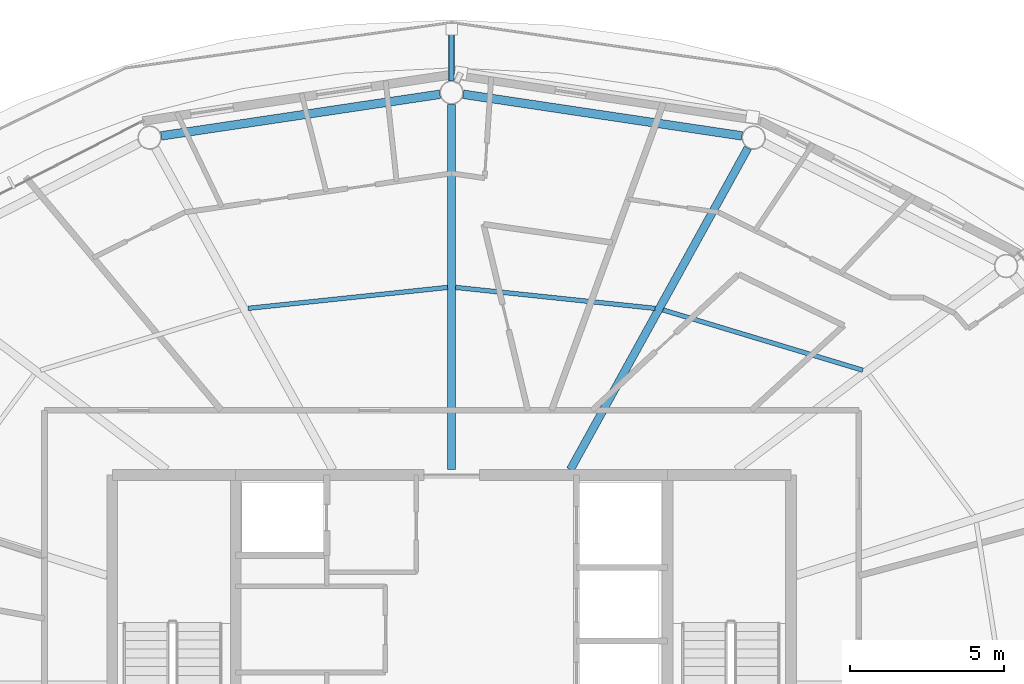
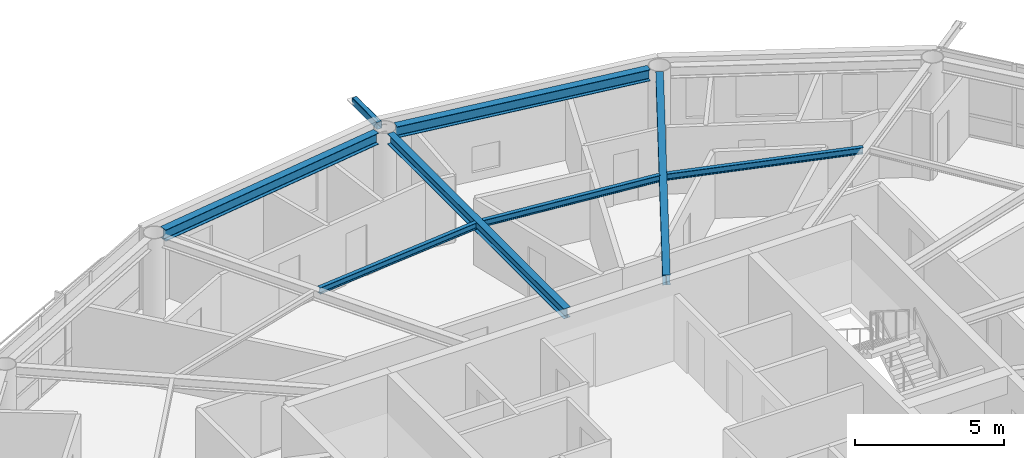
# One storey, part 10 of 23: 7 beams, 1 member.
"""IFC4 building model written with IfcOpenShell, lengths in metres."""

import ifcopenshell
import ifcopenshell.guid

model = None  # the IFC model being written
_history = None  # IfcOwnerHistory: only IFC2X3 demands one
_inside = {}  # id of a spatial element -> (the spatial element, [elements in it])
_under = {}  # id of a project, library or spatial element -> (it, [spatial elements below it])
_declared = {}  # id of a project -> (the project, [libraries it declares])
_typed = {}  # id of a type object -> (the type object, [elements of that type])
_made_of = {}  # id of a material, layer set ... -> (it, [elements and type objects made of it])


def new_model(schema):
    """Start an empty IFC model of exactly this schema.

    Asked for "IFC4X3", IfcOpenShell would pick the latest addendum, in which some entities
    have other attributes; the version numbers below select the first issue.
    IFC2X3 requires an IfcOwnerHistory on every rooted entity: one is made here for all.
    """
    global model, _history
    if schema == "IFC4X3":
        model = ifcopenshell.file(schema_version=(4, 3, 0, 0))
    else:
        model = ifcopenshell.file(schema=schema)
    _inside.clear()
    _under.clear()
    _declared.clear()
    _typed.clear()
    _made_of.clear()
    _history = None
    if model.schema == "IFC2X3":
        org = make("IfcOrganization", Name="unknown")
        user = make(
            "IfcPersonAndOrganization",
            ThePerson=make("IfcPerson", FamilyName="unknown"),
            TheOrganization=org,
        )
        app = make(
            "IfcApplication",
            ApplicationDeveloper=org,
            Version="unknown",
            ApplicationFullName="unknown",
            ApplicationIdentifier="unknown",
        )
        _history = make(
            "IfcOwnerHistory",
            OwningUser=user,
            OwningApplication=app,
            ChangeAction="ADDED",
            CreationDate=0,
        )
    return model


def make(cls, **values):
    """One entity of the class cls with the attributes given. An attribute that is None is left unset."""
    return model.create_entity(
        cls, **{name: value for name, value in values.items() if value is not None}
    )


def rooted(cls, **values):
    """An entity with a GlobalId (a new one), such as an element, a storey or a relation."""
    return make(cls, GlobalId=ifcopenshell.guid.new(), OwnerHistory=_history, **values)


def si_unit(unit_type, name, prefix=None):
    """IfcSIUnit, for example si_unit("LENGTHUNIT", "METRE", prefix="MILLI")."""
    return make("IfcSIUnit", UnitType=unit_type, Prefix=prefix, Name=name)


def assignment(units):
    """IfcUnitAssignment: the units of a project."""
    return None if units is None else make("IfcUnitAssignment", Units=units)


def point(xyz):
    """IfcCartesianPoint."""
    return None if xyz is None else make("IfcCartesianPoint", Coordinates=xyz)


def direction(xyz):
    """IfcDirection."""
    return None if xyz is None else make("IfcDirection", DirectionRatios=xyz)


def frame(location, z_axis=None, x_axis=None):
    """IfcAxis2Placement3D, a coordinate frame: its origin and axes. An axis left out is left unset."""
    return make(
        "IfcAxis2Placement3D",
        Location=point(location),
        Axis=direction(z_axis),
        RefDirection=direction(x_axis),
    )


def frame_2d(location, x_axis=None):
    """IfcAxis2Placement2D, a coordinate frame in the plane: its origin and x axis."""
    return make(
        "IfcAxis2Placement2D", Location=point(location), RefDirection=direction(x_axis)
    )


def origin():
    """The frame at (0, 0, 0) with its axes left unset."""
    return frame((0.0, 0.0, 0.0))


def origin_2d():
    """The frame at (0, 0) in the plane with its x axis left unset."""
    return frame_2d((0.0, 0.0))


def place(relative_to, where):
    """IfcLocalPlacement: puts the frame where relative to a parent placement (None: the world)."""
    return make(
        "IfcLocalPlacement", PlacementRelTo=relative_to, RelativePlacement=where
    )


def context(
    kind, dimensions, precision=None, world=None, true_north=None, identifier=None
):
    """IfcGeometricRepresentationContext, for example the 3D "Model" context."""
    return make(
        "IfcGeometricRepresentationContext",
        ContextIdentifier=identifier,
        ContextType=kind,
        CoordinateSpaceDimension=dimensions,
        Precision=precision,
        WorldCoordinateSystem=world,
        TrueNorth=true_north,
    )


def subcontext(parent, identifier, kind, view, scale=None):
    """IfcGeometricRepresentationSubContext, for example "Body" below "Model"."""
    return make(
        "IfcGeometricRepresentationSubContext",
        ContextIdentifier=identifier,
        ContextType=kind,
        ParentContext=parent,
        TargetScale=scale,
        TargetView=view,
    )


def project(units=None, contexts=None):
    """IfcProject with its units and contexts."""
    return rooted(
        "IfcProject",
        Name="project",
        RepresentationContexts=contexts,
        UnitsInContext=assignment(units),
    )


def spatial(cls, under=None, at=None, **own):
    """A site, building, storey or space (cls), placed at a placement, below another one or the project."""
    s = rooted(cls, ObjectPlacement=at, **own)
    if under is not None:
        _under.setdefault(under.id(), (under, []))[1].append(s)
    return s


def profile(cls, at=None, kind="AREA", **sizes):
    """A parametric profile (cls). Its sizes go by their IFC names, for example OverallWidth=200.0."""
    return make(cls, ProfileType=kind, Position=at, **sizes)


def hollow_rectangle(**sizes):
    """IfcRectangleHollowProfileDef."""
    return profile("IfcRectangleHollowProfileDef", **sizes)


def i_section(**sizes):
    """IfcIShapeProfileDef."""
    return profile("IfcIShapeProfileDef", **sizes)


def extrude(swept, where, along, depth):
    """IfcExtrudedAreaSolid: the profile swept, set in the frame where, extruded along a direction by depth."""
    return make(
        "IfcExtrudedAreaSolid",
        SweptArea=swept,
        Position=where,
        ExtrudedDirection=direction(along),
        Depth=depth,
    )


def shape(context_of_items, identifier, shape_type, items):
    """IfcShapeRepresentation: the items that make up one representation, for example the "Body"."""
    return make(
        "IfcShapeRepresentation",
        ContextOfItems=context_of_items,
        RepresentationIdentifier=identifier,
        RepresentationType=shape_type,
        Items=items,
    )


def material(Name=None, Category=None):
    """IfcMaterial."""
    return make("IfcMaterial", Name=Name, Category=Category)


def material_profile(
    of_material, cross_section, Name=None, Category=None, Priority=None
):
    """IfcMaterialProfile: a cross section and its material."""
    return make(
        "IfcMaterialProfile",
        Name=Name,
        Material=of_material,
        Profile=cross_section,
        Priority=Priority,
        Category=Category,
    )


def profile_set(profiles, Name=None, composite=None):
    """IfcMaterialProfileSet."""
    return make(
        "IfcMaterialProfileSet",
        Name=Name,
        MaterialProfiles=profiles,
        CompositeProfile=composite,
    )


def made_of(thing, what):
    """Note that an element or type object is made of a material, layer set ...; save() writes the relation."""
    if what is not None:
        _made_of.setdefault(what.id(), (what, []))[1].append(thing)
    return thing


def type_object(cls, material=None, **own):
    """A type object (cls), such as IfcWallType, which elements share."""
    return made_of(rooted(cls, **own), material)


def element(
    cls,
    number,
    at=None,
    inside=None,
    cuts=None,
    type_object=None,
    material=None,
    context=None,
    identifier="Body",
    shape_type=None,
    held_by="IfcProductDefinitionShape",
    body=None,
    shapes=None,
    **own,
):
    """One element of the class cls, such as IfcWall. Its Tag is "e" and its number.

    at: its placement. inside: the storey or other place that contains it. cuts: it is an
    opening in that element (IfcRelVoidsElement). A single representation is given by context,
    identifier, shape_type and body (its items); several are given by shapes. held_by: the class
    of the entity that holds the representations. save() writes the other relations.
    """
    e = rooted(cls, Tag="e%d" % number, ObjectPlacement=at, **own)
    if body is not None:
        shapes = [shape(context, identifier, shape_type, body)]
    if shapes is not None:
        e.Representation = make(held_by, Representations=shapes)
    if inside is not None:
        _inside.setdefault(inside.id(), (inside, []))[1].append(e)
    if cuts is not None:
        rooted(
            "IfcRelVoidsElement", RelatingBuildingElement=cuts, RelatedOpeningElement=e
        )
    if type_object is not None:
        _typed.setdefault(type_object.id(), (type_object, []))[1].append(e)
    return made_of(e, material)


def aggregate(whole, parts):
    """IfcRelAggregates: a whole, such as a stair, and the parts it consists of."""
    return rooted("IfcRelAggregates", RelatingObject=whole, RelatedObjects=parts)


def save(model, path):
    """Write the relations noted so far, then the file.

    IfcRelAggregates (storeys below a building ...), IfcRelContainedInSpatialStructure (elements
    in a storey), IfcRelDefinesByType, IfcRelAssociatesMaterial and IfcRelDeclares: one each for
    every whole, place, type object, material and project.
    """
    for whole, parts in _under.values():
        aggregate(whole, parts)
    for where, things in _inside.values():
        rooted(
            "IfcRelContainedInSpatialStructure",
            RelatedElements=things,
            RelatingStructure=where,
        )
    for kind, things in _typed.values():
        rooted("IfcRelDefinesByType", RelatedObjects=things, RelatingType=kind)
    for what, things in _made_of.values():
        rooted("IfcRelAssociatesMaterial", RelatedObjects=things, RelatingMaterial=what)
    for by, libraries in _declared.values():
        rooted("IfcRelDeclares", RelatingContext=by, RelatedDefinitions=libraries)
    model.write(path)


model = new_model("IFC4")

# Units and contexts
model_context = context("Model", 3, precision=1e-05, world=origin(), true_north=direction((0.0, 1.0)))
body_context = subcontext(model_context, "Body", "Model", "MODEL_VIEW")
ifc_project = project(units=[si_unit("LENGTHUNIT", "METRE"), si_unit("AREAUNIT", "SQUARE_METRE"), si_unit("VOLUMEUNIT", "CUBIC_METRE"), si_unit("PLANEANGLEUNIT", "RADIAN"), si_unit("MASSUNIT", "GRAM", prefix="KILO")], contexts=[model_context])

# Site, building, storey
site_placement = place(None, origin())
site = spatial("IfcSite", under=ifc_project, at=site_placement, CompositionType="ELEMENT")
building_placement = place(site_placement, origin())
building = spatial("IfcBuilding", under=site, at=building_placement, Name="Sarneth Arch Tower", CompositionType="ELEMENT")
storey_placement = place(building_placement, frame((0.0, 0.0, 265.800048828125)))
storey = spatial("IfcBuildingStorey", under=building, at=storey_placement, Name="L68", CompositionType="ELEMENT", Elevation=265.800048828125)

# Beams
ifc_material_1 = material(Name="Steel S355", Category="steel")
ifc_material_profile_1 = material_profile(ifc_material_1, i_section(OverallWidth=0.14794921875, OverallDepth=0.26611328125, WebThickness=0.007568359375, FlangeThickness=0.012939453125, FilletRadius=0.012939453125, at=origin_2d()), Name="W250x44.8")
ifc_profile_set_1 = profile_set([ifc_material_profile_1], Name="Steel S355")
beam_type_1 = type_object("IfcBeamType", Name="BM-JOIST-250", PredefinedType="JOIST", material=ifc_profile_set_1)
beam_1_placement = place(storey_placement, frame((61.32861328125, 52.198486328125, 3.237060546875), z_axis=(-0.957373106971, 0.288854174367, 0.0), x_axis=(-0.288854174367, -0.957373106971, 0.0)))
element("IfcBeam", 1, at=beam_1_placement, inside=storey, type_object=beam_type_1, Name="L68 Secondary floor joist 03", PredefinedType="JOIST", context=body_context, shape_type="SweptSolid", body=[
    extrude(i_section(OverallWidth=0.14794921875, OverallDepth=0.26611328125, WebThickness=0.007568359375, FlangeThickness=0.012939453125, FilletRadius=0.012939453125, at=origin_2d()), origin(), (0.0, 0.0, 1.0), 6.76416015625),
])
for number, where, z_axis, x_axis, name in (
    (2, (54.59912109375, 54.20361328125, 3.237060546875), (-0.994526818736, 0.104481609938, 0.0), (-0.104481609938, -0.994526818736, 0.0), "L68 Secondary floor joist 04"),
    (3, (47.87060546875, 54.88330078125, 3.237060546875), (-0.994526818736, -0.104481609938, 0.0), (0.104481609938, -0.994526818736, 0.0), "L68 Secondary floor joist 05"),
):
    element("IfcBeam", number, at=place(storey_placement, frame(where, z_axis=z_axis, x_axis=x_axis)), inside=storey, type_object=beam_type_1, Name=name, PredefinedType="JOIST", context=body_context, shape_type="SweptSolid", body=[
        extrude(i_section(OverallWidth=0.14794921875, OverallDepth=0.26611328125, WebThickness=0.007568359375, FlangeThickness=0.012939453125, FilletRadius=0.012939453125, at=origin_2d()), origin(), (0.0, 0.0, 1.0), 6.50537109375),
    ])
ifc_material_2 = material(Name="Steel S355", Category="steel")
ifc_material_profile_2 = material_profile(ifc_material_2, i_section(OverallWidth=0.260009765625, OverallDepth=0.4150390625, WebThickness=0.010009765625, FlangeThickness=0.016845703125, FilletRadius=0.01611328125, at=origin_2d()), Name="W410x100")
ifc_profile_set_2 = profile_set([ifc_material_profile_2], Name="Steel S355")
beam_type_2 = type_object("IfcBeamType", Name="BM-RAD-410A", PredefinedType="BEAM", material=ifc_profile_set_2)
beam_2_placement = place(storey_placement, frame((51.849853515625, 48.97509765625, 3.162353515625), z_axis=(0.483231193732, 0.875492783182, 0.0), x_axis=(-0.875492783182, 0.483231193732, 0.0)))
element("IfcBeam", 4, at=beam_2_placement, inside=storey, type_object=beam_type_2, Name="L68 Radial floor girder 04", PredefinedType="BEAM", context=body_context, shape_type="SweptSolid", body=[
    extrude(i_section(OverallWidth=0.260009765625, OverallDepth=0.4150390625, WebThickness=0.010009765625, FlangeThickness=0.016845703125, FilletRadius=0.01611328125, at=origin_2d()), origin(), (0.0, 0.0, 1.0), 11.913330078125),
])
beam_3_placement = place(storey_placement, frame((48.0, 48.97509765625, 3.162353515625), z_axis=(0.0, 1.0, 0.0), x_axis=(-1.0, 0.0, 0.0)))
element("IfcBeam", 5, at=beam_3_placement, inside=storey, type_object=beam_type_2, Name="L68 Radial floor girder 05", PredefinedType="BEAM", context=body_context, shape_type="SweptSolid", body=[
    extrude(i_section(OverallWidth=0.260009765625, OverallDepth=0.4150390625, WebThickness=0.010009765625, FlangeThickness=0.016845703125, FilletRadius=0.01611328125, at=origin_2d()), origin(), (0.0, 0.0, 1.0), 11.843994140625),
])
ifc_material_3 = material(Name="Steel S355", Category="steel")
ifc_material_profile_3 = material_profile(ifc_material_3, i_section(OverallWidth=0.280029296875, OverallDepth=0.462890625, WebThickness=0.0107421875, FlangeThickness=0.017333984375, FilletRadius=0.01806640625, at=origin_2d()), Name="W460x113")
ifc_profile_set_3 = profile_set([ifc_material_profile_3], Name="Steel S355")
beam_type_3 = type_object("IfcBeamType", Name="BM-RAD-460A", PredefinedType="BEAM", material=ifc_profile_set_3)
for number, where, z_axis, x_axis, name in (
    (6, (57.4140625, 59.794677734375, 3.138427734375), (-0.989040174637, 0.147646648973, 0.0), (-0.147646648973, -0.989040174637, 0.0), "L68 Perimeter spandrel beam 04"),
    (7, (47.623291015625, 61.143798828125, 3.138427734375), (-0.989040174637, -0.147646648973, 0.0), (0.147646648973, -0.989040174637, 0.0), "L68 Perimeter spandrel beam 05"),
):
    element("IfcBeam", number, at=place(storey_placement, frame(where, z_axis=z_axis, x_axis=x_axis)), inside=storey, type_object=beam_type_3, Name=name, PredefinedType="BEAM", context=body_context, shape_type="SweptSolid", body=[
        extrude(i_section(OverallWidth=0.280029296875, OverallDepth=0.462890625, WebThickness=0.0107421875, FlangeThickness=0.017333984375, FilletRadius=0.01806640625, at=origin_2d()), origin(), (0.0, 0.0, 1.0), 9.137451171875),
    ])

# Member
ifc_material_4 = material(Name="Steel S355", Category="steel")
ifc_material_profile_4 = material_profile(ifc_material_4, hollow_rectangle(XDim=0.199951171875, YDim=0.300048828125, WallThickness=0.012451171875, InnerFilletRadius=0.018798828125, OuterFilletRadius=0.03125, at=origin_2d()), Name="RHS300x200x12.5")
ifc_profile_set_4 = profile_set([ifc_material_profile_4], Name="Steel S355")
member_type = type_object("IfcMemberType", Name="MEM-CANT-STRUT", PredefinedType="STRUT", material=ifc_profile_set_4)
member_placement = place(storey_placement, frame((48.0, 61.5810546875, 3.2099609375), z_axis=(0.0, 1.0, 0.0), x_axis=(-1.0, 0.0, 0.0)))
element("IfcMember", 8, at=member_placement, inside=storey, type_object=member_type, Name="L68 Balcony cantilever bracket 05", PredefinedType="STRUT", context=body_context, shape_type="SweptSolid", body=[
    extrude(hollow_rectangle(XDim=0.199951171875, YDim=0.300048828125, WallThickness=0.012451171875, InnerFilletRadius=0.018798828125, OuterFilletRadius=0.03125, at=origin_2d()), origin(), (0.0, 0.0, 1.0), 1.671630859375),
])

save(model, "model.ifc")
